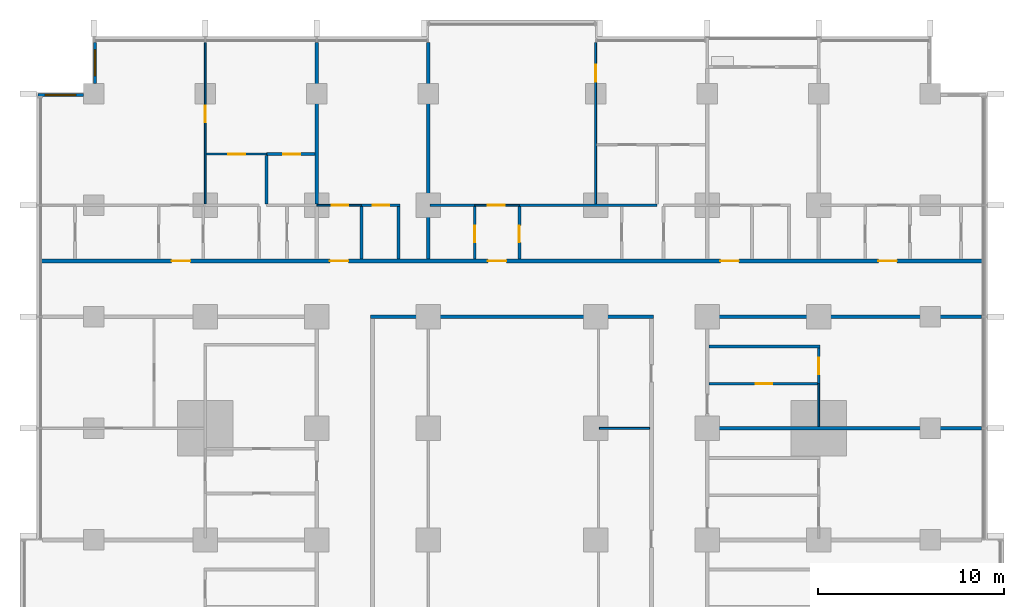
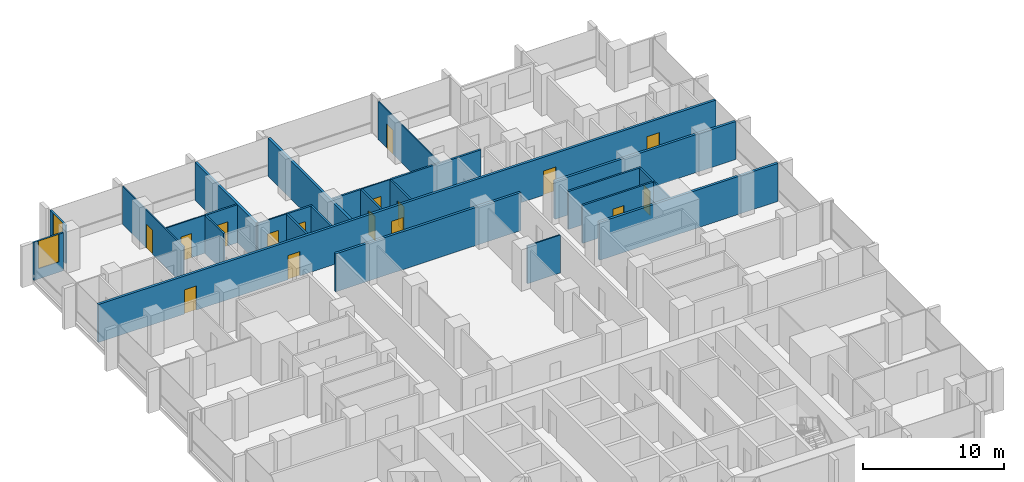
# One storey, part 11 of 18: 27 walls, 16 doors, 2 windows, 18 openings.
"""IFC4 building model written with IfcOpenShell, lengths in metres."""

from ifc_helpers import new_model, si_unit, direction, frame, frame_2d, origin, place, context, subcontext, project, spatial, rectangle, extrude, material, layer, layer_set, type_object, element, fill, save


model = new_model("IFC4")

# Units and contexts
model_context = context("Model", 3, precision=1e-05, world=origin(), true_north=direction((0.0, 1.0)))
body_context = subcontext(model_context, "Body", "Model", "MODEL_VIEW")
ifc_project = project(units=[si_unit("LENGTHUNIT", "METRE"), si_unit("AREAUNIT", "SQUARE_METRE"), si_unit("VOLUMEUNIT", "CUBIC_METRE"), si_unit("PLANEANGLEUNIT", "RADIAN"), si_unit("MASSUNIT", "GRAM", prefix="KILO")], contexts=[model_context])

# Site, building, storey
site_placement = place(None, origin())
site = spatial("IfcSite", under=ifc_project, at=site_placement, CompositionType="ELEMENT")
building_placement = place(site_placement, origin())
building = spatial("IfcBuilding", under=site, at=building_placement, Name="Finial Court Residences", CompositionType="ELEMENT")
storey_placement = place(building_placement, frame((0.0, 0.0, 57.699951171875)))
storey = spatial("IfcBuildingStorey", under=building, at=storey_placement, Name="L13", CompositionType="ELEMENT", Elevation=57.699951171875)

# Walls
ifc_material_1 = material(Name="Gypsum board")
ifc_layer_1 = layer(ifc_material_1, 0.02490234375)
ifc_material_2 = material(Name="Acoustic mineral wool in double frame")
ifc_layer_2 = layer(ifc_material_2, 0.14990234375)
ifc_layer_3 = layer(ifc_material_1, 0.02490234375)
ifc_layer_set_1 = layer_set([ifc_layer_1, ifc_layer_2, ifc_layer_3], Name="Acoustic party wall 200, 1 hour")
wall_type_1 = type_object("IfcWallType", Name="Acoustic party wall 200, 1 hour", PredefinedType="PARTITIONING", material=ifc_layer_set_1)
wall_1_placement = place(storey_placement, frame((10.60009765625, 7.5, 0.0), z_axis=(0.0, 0.0, 1.0), x_axis=(1.0, 0.0, 0.0)))
element("IfcWall", 1, at=wall_1_placement, inside=storey, type_object=wall_type_1, Name="Partition L13-027", PredefinedType="PARTITIONING", context=body_context, shape_type="SweptSolid", body=[
    extrude(rectangle(XDim=14.64990234375, YDim=0.199951171875, at=frame_2d((7.324951171875, 0.0))), origin(), (0.0, 0.0, 1.0), 3.300048828125),
])
wall_2_placement = place(storey_placement, frame((-10.5, 19.574951171875, 0.0), z_axis=(0.0, 0.0, 1.0), x_axis=(0.0, 1.0, 0.0)))
element("IfcWall", 2, at=wall_2_placement, inside=storey, type_object=wall_type_1, Name="Partition L13-075", PredefinedType="PARTITIONING", context=body_context, shape_type="SweptSolid", body=[
    extrude(rectangle(XDim=8.675048828125, YDim=0.199951171875, at=frame_2d((4.33740234375, 0.0))), origin(), (0.0, 0.0, 1.0), 3.300048828125),
])
wall_3_placement = place(storey_placement, frame((-4.5, 16.60009765625, 0.0), z_axis=(0.0, 0.0, 1.0), x_axis=(0.0, 1.0, 0.0)))
element("IfcWall", 3, at=wall_3_placement, inside=storey, type_object=wall_type_1, Name="Partition L13-080", PredefinedType="PARTITIONING", context=body_context, shape_type="SweptSolid", body=[
    extrude(rectangle(XDim=11.64990234375, YDim=0.199951171875, at=frame_2d((5.824951171875, 0.0))), origin(), (0.0, 0.0, 1.0), 3.300048828125),
])
ifc_layer_4 = layer(ifc_material_1, 0.02490234375)
ifc_layer_5 = layer(ifc_material_2, 0.14990234375)
ifc_layer_6 = layer(ifc_material_1, 0.02490234375)
ifc_layer_set_2 = layer_set([ifc_layer_4, ifc_layer_5, ifc_layer_6], Name="Corridor wall 200, 1 hour")
wall_type_2 = type_object("IfcWallType", Name="Corridor wall 200, 1 hour", PredefinedType="PARTITIONING", material=ifc_layer_set_2)
wall_4_placement = place(storey_placement, frame((-7.60009765625, 13.5, 0.0), z_axis=(0.0, 0.0, 1.0), x_axis=(1.0, 0.0, 0.0)))
element("IfcWall", 4, at=wall_4_placement, inside=storey, type_object=wall_type_2, Name="Partition L13-032", PredefinedType="PARTITIONING", context=body_context, shape_type="SweptSolid", body=[
    extrude(rectangle(XDim=15.2001953125, YDim=0.199951171875, at=frame_2d((7.60009765625, 0.0))), origin(), (0.0, 0.0, 1.0), 3.300048828125),
])
wall_5_placement = place(storey_placement, frame((10.39990234375, 13.5, 0.0), z_axis=(0.0, 0.0, 1.0), x_axis=(1.0, 0.0, 0.0)))
element("IfcWall", 5, at=wall_5_placement, inside=storey, type_object=wall_type_2, Name="Partition L13-033", PredefinedType="PARTITIONING", context=body_context, shape_type="SweptSolid", body=[
    extrude(rectangle(XDim=14.85009765625, YDim=0.199951171875, at=frame_2d((7.425048828125, 0.0))), origin(), (0.0, 0.0, 1.0), 3.300048828125),
])

# Wall, openings, doors
wall_6_placement = place(storey_placement, frame((-25.35009765625, 16.5, 0.0), z_axis=(0.0, 0.0, 1.0), x_axis=(1.0, 0.0, 0.0)))
wall_6 = element("IfcWall", 6, at=wall_6_placement, inside=storey, type_object=wall_type_2, Name="Partition L13-034", PredefinedType="PARTITIONING", context=body_context, shape_type="SweptSolid", body=[
    extrude(rectangle(XDim=50.7001953125, YDim=0.199951171875, at=frame_2d((25.35009765625, 0.0))), origin(), (0.0, 0.0, 1.0), 3.300048828125),
])
opening_1_placement = place(wall_6_placement, frame((7.050048828125, 0.0, 0.0)))
opening_1 = element("IfcOpeningElement", 7, at=opening_1_placement, cuts=wall_6, Name="Opening L13-D015", PredefinedType="OPENING", context=body_context, shape_type="SweptSolid", body=[
    extrude(rectangle(XDim=1.0, YDim=2.10009765625, at=frame_2d((0.5, 1.050048828125))), frame((0.0, 0.10986328125, 0.0), z_axis=(0.0, -1.0, 0.0), x_axis=(1.0, 0.0, 0.0)), (0.0, 0.0, 1.0), 0.219970703125),
])
opening_2_placement = place(wall_6_placement, frame((15.550048828125, 0.0, 0.0)))
opening_2 = element("IfcOpeningElement", 8, at=opening_2_placement, cuts=wall_6, Name="Opening L13-D016", PredefinedType="OPENING", context=body_context, shape_type="SweptSolid", body=[
    extrude(rectangle(XDim=1.0, YDim=2.10009765625, at=frame_2d((0.5, 1.050048828125))), frame((0.0, 0.10986328125, 0.0), z_axis=(0.0, -1.0, 0.0), x_axis=(1.0, 0.0, 0.0)), (0.0, 0.0, 1.0), 0.219970703125),
])
opening_3_placement = place(wall_6_placement, frame((24.050048828125, 0.0, 0.0)))
opening_3 = element("IfcOpeningElement", 9, at=opening_3_placement, cuts=wall_6, Name="Opening L13-D017", PredefinedType="OPENING", context=body_context, shape_type="SweptSolid", body=[
    extrude(rectangle(XDim=1.0, YDim=2.10009765625, at=frame_2d((0.5, 1.050048828125))), frame((0.0, 0.10986328125, 0.0), z_axis=(0.0, -1.0, 0.0), x_axis=(1.0, 0.0, 0.0)), (0.0, 0.0, 1.0), 0.219970703125),
])
opening_4_placement = place(wall_6_placement, frame((36.550048828125, 0.0, 0.0)))
opening_4 = element("IfcOpeningElement", 10, at=opening_4_placement, cuts=wall_6, Name="Opening L13-D018", PredefinedType="OPENING", context=body_context, shape_type="SweptSolid", body=[
    extrude(rectangle(XDim=1.0, YDim=2.10009765625, at=frame_2d((0.5, 1.050048828125))), frame((0.0, 0.10986328125, 0.0), z_axis=(0.0, -1.0, 0.0), x_axis=(1.0, 0.0, 0.0)), (0.0, 0.0, 1.0), 0.219970703125),
])
opening_5_placement = place(wall_6_placement, frame((45.050048828125, 0.0, 0.0)))
opening_5 = element("IfcOpeningElement", 11, at=opening_5_placement, cuts=wall_6, Name="Opening L13-D019", PredefinedType="OPENING", context=body_context, shape_type="SweptSolid", body=[
    extrude(rectangle(XDim=1.0, YDim=2.10009765625, at=frame_2d((0.5, 1.050048828125))), frame((0.0, 0.10986328125, 0.0), z_axis=(0.0, -1.0, 0.0), x_axis=(1.0, 0.0, 0.0)), (0.0, 0.0, 1.0), 0.219970703125),
])
ifc_material_3 = material(Name="Timber door leaf in hollow metal frame", Category="wood")
door_type_1 = type_object("IfcDoorType", Name="Fire door set 1000 x 2100, 30 minutes", OperationType="SINGLE_SWING_LEFT", PredefinedType="DOOR", material=ifc_material_3)
door_1_placement = place(opening_1_placement, origin())
door_1 = element("IfcDoor", 12, at=door_1_placement, inside=storey, type_object=door_type_1, Name="Door L13-D015", OperationType="SINGLE_SWING_RIGHT", OverallHeight=2.10009765625, OverallWidth=1.0, PredefinedType="DOOR", context=body_context, shape_type="SweptSolid", body=[
    extrude(rectangle(XDim=1.0, YDim=2.10009765625, at=frame_2d((0.5, 1.050048828125))), frame((0.0, 0.02490234375, 0.0), z_axis=(0.0, -1.0, 0.0), x_axis=(1.0, 0.0, 0.0)), (0.0, 0.0, 1.0), 0.050048828125),
])
fill(opening_1, door_1)
door_2_placement = place(opening_2_placement, origin())
door_2 = element("IfcDoor", 13, at=door_2_placement, inside=storey, type_object=door_type_1, Name="Door L13-D016", OperationType="SINGLE_SWING_RIGHT", OverallHeight=2.10009765625, OverallWidth=1.0, PredefinedType="DOOR", context=body_context, shape_type="SweptSolid", body=[
    extrude(rectangle(XDim=1.0, YDim=2.10009765625, at=frame_2d((0.5, 1.050048828125))), frame((0.0, 0.02490234375, 0.0), z_axis=(0.0, -1.0, 0.0), x_axis=(1.0, 0.0, 0.0)), (0.0, 0.0, 1.0), 0.050048828125),
])
fill(opening_2, door_2)
door_3_placement = place(opening_3_placement, origin())
door_3 = element("IfcDoor", 14, at=door_3_placement, inside=storey, type_object=door_type_1, Name="Door L13-D017", OperationType="SINGLE_SWING_RIGHT", OverallHeight=2.10009765625, OverallWidth=1.0, PredefinedType="DOOR", context=body_context, shape_type="SweptSolid", body=[
    extrude(rectangle(XDim=1.0, YDim=2.10009765625, at=frame_2d((0.5, 1.050048828125))), frame((0.0, 0.02490234375, 0.0), z_axis=(0.0, -1.0, 0.0), x_axis=(1.0, 0.0, 0.0)), (0.0, 0.0, 1.0), 0.050048828125),
])
fill(opening_3, door_3)
door_4_placement = place(opening_4_placement, origin())
door_4 = element("IfcDoor", 15, at=door_4_placement, inside=storey, type_object=door_type_1, Name="Door L13-D018", OperationType="SINGLE_SWING_LEFT", OverallHeight=2.10009765625, OverallWidth=1.0, PredefinedType="DOOR", context=body_context, shape_type="SweptSolid", body=[
    extrude(rectangle(XDim=1.0, YDim=2.10009765625, at=frame_2d((0.5, 1.050048828125))), frame((0.0, 0.02490234375, 0.0), z_axis=(0.0, -1.0, 0.0), x_axis=(1.0, 0.0, 0.0)), (0.0, 0.0, 1.0), 0.050048828125),
])
fill(opening_4, door_4)
door_5_placement = place(opening_5_placement, origin())
door_5 = element("IfcDoor", 16, at=door_5_placement, inside=storey, type_object=door_type_1, Name="Door L13-D019", OperationType="SINGLE_SWING_LEFT", OverallHeight=2.10009765625, OverallWidth=1.0, PredefinedType="DOOR", context=body_context, shape_type="SweptSolid", body=[
    extrude(rectangle(XDim=1.0, YDim=2.10009765625, at=frame_2d((0.5, 1.050048828125))), frame((0.0, 0.02490234375, 0.0), z_axis=(0.0, -1.0, 0.0), x_axis=(1.0, 0.0, 0.0)), (0.0, 0.0, 1.0), 0.050048828125),
])
fill(opening_5, door_5)

# Wall
ifc_layer_7 = layer(ifc_material_1, 0.012451171875)
ifc_material_4 = material(Name="Mineral wool in light-gauge frame")
ifc_layer_8 = layer(ifc_material_4, 0.074951171875)
ifc_layer_9 = layer(ifc_material_1, 0.012451171875)
ifc_layer_set_3 = layer_set([ifc_layer_7, ifc_layer_8, ifc_layer_9], Name="Gypsum board partition 100")
wall_type_3 = type_object("IfcWallType", Name="Gypsum board partition 100", PredefinedType="PARTITIONING", material=ifc_layer_set_3)
wall_7_placement = place(storey_placement, frame((4.699951171875, 7.5, 0.0), z_axis=(0.0, 0.0, 1.0), x_axis=(1.0, 0.0, 0.0)))
element("IfcWall", 17, at=wall_7_placement, inside=storey, type_object=wall_type_3, Name="Partition L13-026", PredefinedType="PARTITIONING", context=body_context, shape_type="SweptSolid", body=[
    extrude(rectangle(XDim=2.699951171875, YDim=0.10009765625, at=frame_2d((1.35009765625, 0.0))), origin(), (0.0, 0.0, 1.0), 3.300048828125),
])

# Wall, opening, door
wall_8_placement = place(storey_placement, frame((-10.5, 19.5, 0.0), z_axis=(0.0, 0.0, 1.0), x_axis=(1.0, 0.0, 0.0)))
wall_8 = element("IfcWall", 18, at=wall_8_placement, inside=storey, type_object=wall_type_3, Name="Partition L13-037", PredefinedType="PARTITIONING", context=body_context, shape_type="SweptSolid", body=[
    extrude(rectangle(XDim=2.39990234375, YDim=0.10009765625, at=frame_2d((1.199951171875, 0.0))), origin(), (0.0, 0.0, 1.0), 3.300048828125),
])
opening_6_placement = place(wall_8_placement, frame((0.800048828125, 0.0, 0.0)))
opening_6 = element("IfcOpeningElement", 19, at=opening_6_placement, cuts=wall_8, Name="Opening L13-D021", PredefinedType="OPENING", context=body_context, shape_type="SweptSolid", body=[
    extrude(rectangle(XDim=0.89990234375, YDim=2.10009765625, at=frame_2d((0.449951171875, 1.050048828125))), frame((0.0, 0.06005859375, 0.0), z_axis=(0.0, -1.0, 0.0), x_axis=(1.0, 0.0, 0.0)), (0.0, 0.0, 1.0), 0.1201171875),
])
ifc_material_5 = material(Name="Timber door leaf in timber frame", Category="wood")
door_type_2 = type_object("IfcDoorType", Name="Door set 900 x 2100", OperationType="SINGLE_SWING_LEFT", PredefinedType="DOOR", material=ifc_material_5)
door_6_placement = place(opening_6_placement, origin())
door_6 = element("IfcDoor", 20, at=door_6_placement, inside=storey, type_object=door_type_2, Name="Door L13-D021", OperationType="SINGLE_SWING_LEFT", OverallHeight=2.10009765625, OverallWidth=0.89990234375, PredefinedType="DOOR", context=body_context, shape_type="SweptSolid", body=[
    extrude(rectangle(XDim=0.89990234375, YDim=2.10009765625, at=frame_2d((0.449951171875, 1.050048828125))), frame((0.0, 0.02490234375, 0.0), z_axis=(0.0, -1.0, 0.0), x_axis=(1.0, 0.0, 0.0)), (0.0, 0.0, 1.0), 0.050048828125),
])
fill(opening_6, door_6)

wall_9_placement = place(storey_placement, frame((-2.0, 19.5, 0.0), z_axis=(0.0, 0.0, 1.0), x_axis=(1.0, 0.0, 0.0)))
wall_9 = element("IfcWall", 21, at=wall_9_placement, inside=storey, type_object=wall_type_3, Name="Partition L13-038", PredefinedType="PARTITIONING", context=body_context, shape_type="SweptSolid", body=[
    extrude(rectangle(XDim=2.39990234375, YDim=0.10009765625, at=frame_2d((1.199951171875, 0.0))), origin(), (0.0, 0.0, 1.0), 3.300048828125),
])
opening_7_placement = place(wall_9_placement, frame((0.699951171875, 0.0, 0.0)))
opening_7 = element("IfcOpeningElement", 22, at=opening_7_placement, cuts=wall_9, Name="Opening L13-D022", PredefinedType="OPENING", context=body_context, shape_type="SweptSolid", body=[
    extrude(rectangle(XDim=0.89990234375, YDim=2.10009765625, at=frame_2d((0.449951171875, 1.050048828125))), frame((0.0, 0.06005859375, 0.0), z_axis=(0.0, -1.0, 0.0), x_axis=(1.0, 0.0, 0.0)), (0.0, 0.0, 1.0), 0.1201171875),
])
door_7_placement = place(opening_7_placement, origin())
door_7 = element("IfcDoor", 23, at=door_7_placement, inside=storey, type_object=door_type_2, Name="Door L13-D022", OperationType="SINGLE_SWING_RIGHT", OverallHeight=2.10009765625, OverallWidth=0.89990234375, PredefinedType="DOOR", context=body_context, shape_type="SweptSolid", body=[
    extrude(rectangle(XDim=0.89990234375, YDim=2.10009765625, at=frame_2d((0.449951171875, 1.050048828125))), frame((0.0, 0.02490234375, 0.0), z_axis=(0.0, -1.0, 0.0), x_axis=(1.0, 0.0, 0.0)), (0.0, 0.0, 1.0), 0.050048828125),
])
fill(opening_7, door_7)

wall_10_placement = place(storey_placement, frame((-16.449951171875, 22.25, 0.0), z_axis=(0.0, 0.0, 1.0), x_axis=(1.0, 0.0, 0.0)))
wall_10 = element("IfcWall", 24, at=wall_10_placement, inside=storey, type_object=wall_type_3, Name="Partition L13-051", PredefinedType="PARTITIONING", context=body_context, shape_type="SweptSolid", body=[
    extrude(rectangle(XDim=3.25, YDim=0.10009765625, at=frame_2d((1.625, 0.0))), origin(), (0.0, 0.0, 1.0), 3.300048828125),
])
opening_8_placement = place(wall_10_placement, frame((1.199951171875, 0.0, 0.0)))
opening_8 = element("IfcOpeningElement", 25, at=opening_8_placement, cuts=wall_10, Name="Opening L13-D027", PredefinedType="OPENING", context=body_context, shape_type="SweptSolid", body=[
    extrude(rectangle(XDim=0.89990234375, YDim=2.10009765625, at=frame_2d((0.449951171875, 1.050048828125))), frame((0.0, 0.06005859375, 0.0), z_axis=(0.0, -1.0, 0.0), x_axis=(1.0, 0.0, 0.0)), (0.0, 0.0, 1.0), 0.1201171875),
])
door_8_placement = place(opening_8_placement, origin())
door_8 = element("IfcDoor", 26, at=door_8_placement, inside=storey, type_object=door_type_2, Name="Door L13-D027", OperationType="SINGLE_SWING_LEFT", OverallHeight=2.10009765625, OverallWidth=0.89990234375, PredefinedType="DOOR", context=body_context, shape_type="SweptSolid", body=[
    extrude(rectangle(XDim=0.89990234375, YDim=2.10009765625, at=frame_2d((0.449951171875, 1.050048828125))), frame((0.0, 0.02490234375, 0.0), z_axis=(0.0, -1.0, 0.0), x_axis=(1.0, 0.0, 0.0)), (0.0, 0.0, 1.0), 0.050048828125),
])
fill(opening_8, door_8)

wall_11_placement = place(storey_placement, frame((-16.5, 19.574951171875, 0.0), z_axis=(0.0, 0.0, 1.0), x_axis=(0.0, 1.0, 0.0)))
wall_11 = element("IfcWall", 27, at=wall_11_placement, inside=storey, type_object=wall_type_3, Name="Partition L13-064", PredefinedType="PARTITIONING", context=body_context, shape_type="SweptSolid", body=[
    extrude(rectangle(XDim=8.675048828125, YDim=0.10009765625, at=frame_2d((4.33740234375, 0.0))), origin(), (0.0, 0.0, 1.0), 3.300048828125),
])
opening_9_placement = place(wall_11_placement, frame((4.375, 0.0, 0.0)))
opening_9 = element("IfcOpeningElement", 28, at=opening_9_placement, cuts=wall_11, Name="Opening L13-D039", PredefinedType="OPENING", context=body_context, shape_type="SweptSolid", body=[
    extrude(rectangle(XDim=0.89990234375, YDim=2.10009765625, at=frame_2d((0.449951171875, 1.050048828125))), frame((0.0, 0.06005859375, 0.0), z_axis=(0.0, -1.0, 0.0), x_axis=(1.0, 0.0, 0.0)), (0.0, 0.0, 1.0), 0.1201171875),
])
door_9_placement = place(opening_9_placement, origin())
door_9 = element("IfcDoor", 29, at=door_9_placement, inside=storey, type_object=door_type_2, Name="Door L13-D039", OperationType="SINGLE_SWING_RIGHT", OverallHeight=2.10009765625, OverallWidth=0.89990234375, PredefinedType="DOOR", context=body_context, shape_type="SweptSolid", body=[
    extrude(rectangle(XDim=0.89990234375, YDim=2.10009765625, at=frame_2d((0.449951171875, 1.050048828125))), frame((0.0, 0.02490234375, 0.0), z_axis=(0.0, -1.0, 0.0), x_axis=(1.0, 0.0, 0.0)), (0.0, 0.0, 1.0), 0.050048828125),
])
fill(opening_9, door_9)

wall_12_placement = place(storey_placement, frame((4.5, 19.574951171875, 0.0), z_axis=(0.0, 0.0, 1.0), x_axis=(0.0, 1.0, 0.0)))
wall_12 = element("IfcWall", 30, at=wall_12_placement, inside=storey, type_object=wall_type_3, Name="Partition L13-083", PredefinedType="PARTITIONING", context=body_context, shape_type="SweptSolid", body=[
    extrude(rectangle(XDim=8.675048828125, YDim=0.10009765625, at=frame_2d((4.33740234375, 0.0))), origin(), (0.0, 0.0, 1.0), 3.300048828125),
])
opening_10_placement = place(wall_12_placement, frame((6.574951171875, 0.0, 0.0)))
opening_10 = element("IfcOpeningElement", 31, at=opening_10_placement, cuts=wall_12, Name="Opening L13-D047", PredefinedType="OPENING", context=body_context, shape_type="SweptSolid", body=[
    extrude(rectangle(XDim=0.89990234375, YDim=2.10009765625, at=frame_2d((0.449951171875, 1.050048828125))), frame((0.0, 0.06005859375, 0.0), z_axis=(0.0, -1.0, 0.0), x_axis=(1.0, 0.0, 0.0)), (0.0, 0.0, 1.0), 0.1201171875),
])
door_10_placement = place(opening_10_placement, origin())
door_10 = element("IfcDoor", 32, at=door_10_placement, inside=storey, type_object=door_type_2, Name="Door L13-D047", OperationType="SINGLE_SWING_RIGHT", OverallHeight=2.10009765625, OverallWidth=0.89990234375, PredefinedType="DOOR", context=body_context, shape_type="SweptSolid", body=[
    extrude(rectangle(XDim=0.89990234375, YDim=2.10009765625, at=frame_2d((0.449951171875, 1.050048828125))), frame((0.0, 0.02490234375, 0.0), z_axis=(0.0, -1.0, 0.0), x_axis=(1.0, 0.0, 0.0)), (0.0, 0.0, 1.0), 0.050048828125),
])
fill(opening_10, door_10)

# Wall
wall_13_placement = place(storey_placement, frame((16.5, 7.60009765625, 0.0), z_axis=(0.0, 0.0, 1.0), x_axis=(0.0, 1.0, 0.0)))
element("IfcWall", 33, at=wall_13_placement, inside=storey, type_object=wall_type_3, Name="Partition L13-098", PredefinedType="PARTITIONING", context=body_context, shape_type="SweptSolid", body=[
    extrude(rectangle(XDim=2.2998046875, YDim=0.10009765625, at=frame_2d((1.14990234375, 0.0))), origin(), (0.0, 0.0, 1.0), 3.300048828125),
])

# Wall, opening, door
ifc_material_6 = material(Name="Moisture-resistant gypsum board")
ifc_layer_10 = layer(ifc_material_6, 0.012451171875)
ifc_layer_11 = layer(ifc_material_4, 0.125)
ifc_layer_12 = layer(ifc_material_6, 0.012451171875)
ifc_layer_set_4 = layer_set([ifc_layer_10, ifc_layer_11, ifc_layer_12], Name="Gypsum board wet-area partition 150")
wall_type_4 = type_object("IfcWallType", Name="Gypsum board wet-area partition 150", PredefinedType="PARTITIONING", material=ifc_layer_set_4)
wall_14_placement = place(storey_placement, frame((10.60009765625, 9.89990234375, 0.0), z_axis=(0.0, 0.0, 1.0), x_axis=(1.0, 0.0, 0.0)))
wall_14 = element("IfcWall", 34, at=wall_14_placement, inside=storey, type_object=wall_type_4, Name="Partition L13-028", PredefinedType="PARTITIONING", context=body_context, shape_type="SweptSolid", body=[
    extrude(rectangle(XDim=5.824951171875, YDim=0.14990234375, at=frame_2d((2.91259765625, 0.0))), origin(), (0.0, 0.0, 1.0), 3.300048828125),
])
opening_11_placement = place(wall_14_placement, frame((2.5, 0.0, 0.0)))
opening_11 = element("IfcOpeningElement", 35, at=opening_11_placement, cuts=wall_14, Name="Opening L13-D014", PredefinedType="OPENING", context=body_context, shape_type="SweptSolid", body=[
    extrude(rectangle(XDim=0.89990234375, YDim=2.10009765625, at=frame_2d((0.449951171875, 1.050048828125))), frame((0.0, 0.0849609375, 0.0), z_axis=(0.0, -1.0, 0.0), x_axis=(1.0, 0.0, 0.0)), (0.0, 0.0, 1.0), 0.169921875),
])
door_11_placement = place(opening_11_placement, origin())
door_11 = element("IfcDoor", 36, at=door_11_placement, inside=storey, type_object=door_type_2, Name="Door L13-D014", OperationType="SINGLE_SWING_RIGHT", OverallHeight=2.10009765625, OverallWidth=0.89990234375, PredefinedType="DOOR", context=body_context, shape_type="SweptSolid", body=[
    extrude(rectangle(XDim=0.89990234375, YDim=2.10009765625, at=frame_2d((0.449951171875, 1.050048828125))), frame((0.0, 0.02490234375, 0.0), z_axis=(0.0, -1.0, 0.0), x_axis=(1.0, 0.0, 0.0)), (0.0, 0.0, 1.0), 0.050048828125),
])
fill(opening_11, door_11)

# Wall
wall_15_placement = place(storey_placement, frame((10.60009765625, 11.89990234375, 0.0), z_axis=(0.0, 0.0, 1.0), x_axis=(1.0, 0.0, 0.0)))
element("IfcWall", 37, at=wall_15_placement, inside=storey, type_object=wall_type_4, Name="Partition L13-029", PredefinedType="PARTITIONING", context=body_context, shape_type="SweptSolid", body=[
    extrude(rectangle(XDim=5.974853515625, YDim=0.14990234375, at=frame_2d((2.9873046875, 0.0))), origin(), (0.0, 0.0, 1.0), 3.300048828125),
])

# Wall, opening, door
wall_16_placement = place(storey_placement, frame((-8.10009765625, 19.5, 0.0), z_axis=(0.0, 0.0, 1.0), x_axis=(1.0, 0.0, 0.0)))
wall_16 = element("IfcWall", 38, at=wall_16_placement, inside=storey, type_object=wall_type_4, Name="Partition L13-044", PredefinedType="PARTITIONING", context=body_context, shape_type="SweptSolid", body=[
    extrude(rectangle(XDim=2.0751953125, YDim=0.14990234375, at=frame_2d((1.03759765625, 0.0))), origin(), (0.0, 0.0, 1.0), 3.300048828125),
])
opening_12_placement = place(wall_16_placement, frame((0.60009765625, 0.0, 0.0)))
opening_12 = element("IfcOpeningElement", 39, at=opening_12_placement, cuts=wall_16, Name="Opening L13-D025", PredefinedType="OPENING", context=body_context, shape_type="SweptSolid", body=[
    extrude(rectangle(XDim=0.89990234375, YDim=2.10009765625, at=frame_2d((0.449951171875, 1.050048828125))), frame((0.0, 0.0849609375, 0.0), z_axis=(0.0, -1.0, 0.0), x_axis=(1.0, 0.0, 0.0)), (0.0, 0.0, 1.0), 0.169921875),
])
door_12_placement = place(opening_12_placement, origin())
door_12 = element("IfcDoor", 40, at=door_12_placement, inside=storey, type_object=door_type_2, Name="Door L13-D025", OperationType="SINGLE_SWING_RIGHT", OverallHeight=2.10009765625, OverallWidth=0.89990234375, PredefinedType="DOOR", context=body_context, shape_type="SweptSolid", body=[
    extrude(rectangle(XDim=0.89990234375, YDim=2.10009765625, at=frame_2d((0.449951171875, 1.050048828125))), frame((0.0, 0.02490234375, 0.0), z_axis=(0.0, -1.0, 0.0), x_axis=(1.0, 0.0, 0.0)), (0.0, 0.0, 1.0), 0.050048828125),
])
fill(opening_12, door_12)

# Walls
wall_17_placement = place(storey_placement, frame((-4.39990234375, 19.5, 0.0), z_axis=(0.0, 0.0, 1.0), x_axis=(1.0, 0.0, 0.0)))
element("IfcWall", 41, at=wall_17_placement, inside=storey, type_object=wall_type_4, Name="Partition L13-045", PredefinedType="PARTITIONING", context=body_context, shape_type="SweptSolid", body=[
    extrude(rectangle(XDim=2.39990234375, YDim=0.14990234375, at=frame_2d((1.199951171875, 0.0))), origin(), (0.0, 0.0, 1.0), 3.300048828125),
])
wall_18_placement = place(storey_placement, frame((0.39990234375, 19.5, 0.0), z_axis=(0.0, 0.0, 1.0), x_axis=(1.0, 0.0, 0.0)))
element("IfcWall", 42, at=wall_18_placement, inside=storey, type_object=wall_type_4, Name="Partition L13-046", PredefinedType="PARTITIONING", context=body_context, shape_type="SweptSolid", body=[
    extrude(rectangle(XDim=7.400146484375, YDim=0.14990234375, at=frame_2d((3.7001953125, 0.0))), origin(), (0.0, 0.0, 1.0), 3.300048828125),
])

# Wall, opening, door
wall_19_placement = place(storey_placement, frame((-13.199951171875, 22.25, 0.0), z_axis=(0.0, 0.0, 1.0), x_axis=(1.0, 0.0, 0.0)))
wall_19 = element("IfcWall", 43, at=wall_19_placement, inside=storey, type_object=wall_type_4, Name="Partition L13-052", PredefinedType="PARTITIONING", context=body_context, shape_type="SweptSolid", body=[
    extrude(rectangle(XDim=2.599853515625, YDim=0.14990234375, at=frame_2d((1.2998046875, 0.0))), origin(), (0.0, 0.0, 1.0), 3.300048828125),
])
opening_13_placement = place(wall_19_placement, frame((0.89990234375, 0.0, 0.0)))
opening_13 = element("IfcOpeningElement", 44, at=opening_13_placement, cuts=wall_19, Name="Opening L13-D028", PredefinedType="OPENING", context=body_context, shape_type="SweptSolid", body=[
    extrude(rectangle(XDim=0.89990234375, YDim=2.10009765625, at=frame_2d((0.449951171875, 1.050048828125))), frame((0.0, 0.0849609375, 0.0), z_axis=(0.0, -1.0, 0.0), x_axis=(1.0, 0.0, 0.0)), (0.0, 0.0, 1.0), 0.169921875),
])
door_13_placement = place(opening_13_placement, origin())
door_13 = element("IfcDoor", 45, at=door_13_placement, inside=storey, type_object=door_type_2, Name="Door L13-D028", OperationType="SINGLE_SWING_RIGHT", OverallHeight=2.10009765625, OverallWidth=0.89990234375, PredefinedType="DOOR", context=body_context, shape_type="SweptSolid", body=[
    extrude(rectangle(XDim=0.89990234375, YDim=2.10009765625, at=frame_2d((0.449951171875, 1.050048828125))), frame((0.0, 0.02490234375, 0.0), z_axis=(0.0, -1.0, 0.0), x_axis=(1.0, 0.0, 0.0)), (0.0, 0.0, 1.0), 0.050048828125),
])
fill(opening_13, door_13)

# Walls
wall_20_placement = place(storey_placement, frame((-13.199951171875, 19.574951171875, 0.0), z_axis=(0.0, 0.0, 1.0), x_axis=(0.0, 1.0, 0.0)))
element("IfcWall", 46, at=wall_20_placement, inside=storey, type_object=wall_type_4, Name="Partition L13-071", PredefinedType="PARTITIONING", context=body_context, shape_type="SweptSolid", body=[
    extrude(rectangle(XDim=2.60009765625, YDim=0.14990234375, at=frame_2d((1.300048828125, 0.0))), origin(), (0.0, 0.0, 1.0), 3.300048828125),
])
for number, where, z_axis, x_axis, name in (
    (47, (-8.10009765625, 16.60009765625, 0.0), (0.0, 0.0, 1.0), (0.0, 1.0, 0.0), "Partition L13-076"),
    (48, (-6.10009765625, 16.60009765625, 0.0), (0.0, 0.0, 1.0), (0.0, 1.0, 0.0), "Partition L13-078"),
):
    element("IfcWall", number, at=place(storey_placement, frame(where, z_axis=z_axis, x_axis=x_axis)), inside=storey, type_object=wall_type_4, Name=name, PredefinedType="PARTITIONING", context=body_context, shape_type="SweptSolid", body=[
        extrude(rectangle(XDim=2.824951171875, YDim=0.14990234375, at=frame_2d((1.41259765625, 0.0))), origin(), (0.0, 0.0, 1.0), 3.300048828125),
    ])

# Wall, opening, door
wall_21_placement = place(storey_placement, frame((-2.0, 16.60009765625, 0.0), z_axis=(0.0, 0.0, 1.0), x_axis=(0.0, 1.0, 0.0)))
wall_21 = element("IfcWall", 49, at=wall_21_placement, inside=storey, type_object=wall_type_4, Name="Partition L13-081", PredefinedType="PARTITIONING", context=body_context, shape_type="SweptSolid", body=[
    extrude(rectangle(XDim=2.824951171875, YDim=0.14990234375, at=frame_2d((1.41259765625, 0.0))), origin(), (0.0, 0.0, 1.0), 3.300048828125),
])
opening_14_placement = place(wall_21_placement, frame((0.89990234375, 0.0, 0.0)))
opening_14 = element("IfcOpeningElement", 50, at=opening_14_placement, cuts=wall_21, Name="Opening L13-D045", PredefinedType="OPENING", context=body_context, shape_type="SweptSolid", body=[
    extrude(rectangle(XDim=0.89990234375, YDim=2.10009765625, at=frame_2d((0.449951171875, 1.050048828125))), frame((0.0, 0.0849609375, 0.0), z_axis=(0.0, -1.0, 0.0), x_axis=(1.0, 0.0, 0.0)), (0.0, 0.0, 1.0), 0.169921875),
])
door_14_placement = place(opening_14_placement, origin())
door_14 = element("IfcDoor", 51, at=door_14_placement, inside=storey, type_object=door_type_2, Name="Door L13-D045", OperationType="SINGLE_SWING_LEFT", OverallHeight=2.10009765625, OverallWidth=0.89990234375, PredefinedType="DOOR", context=body_context, shape_type="SweptSolid", body=[
    extrude(rectangle(XDim=0.89990234375, YDim=2.10009765625, at=frame_2d((0.449951171875, 1.050048828125))), frame((0.0, 0.02490234375, 0.0), z_axis=(0.0, -1.0, 0.0), x_axis=(1.0, 0.0, 0.0)), (0.0, 0.0, 1.0), 0.050048828125),
])
fill(opening_14, door_14)

wall_22_placement = place(storey_placement, frame((0.39990234375, 16.60009765625, 0.0), z_axis=(0.0, 0.0, 1.0), x_axis=(0.0, 1.0, 0.0)))
wall_22 = element("IfcWall", 52, at=wall_22_placement, inside=storey, type_object=wall_type_4, Name="Partition L13-082", PredefinedType="PARTITIONING", context=body_context, shape_type="SweptSolid", body=[
    extrude(rectangle(XDim=2.824951171875, YDim=0.14990234375, at=frame_2d((1.41259765625, 0.0))), origin(), (0.0, 0.0, 1.0), 3.300048828125),
])
opening_15_placement = place(wall_22_placement, frame((0.89990234375, 0.0, 0.0)))
opening_15 = element("IfcOpeningElement", 53, at=opening_15_placement, cuts=wall_22, Name="Opening L13-D046", PredefinedType="OPENING", context=body_context, shape_type="SweptSolid", body=[
    extrude(rectangle(XDim=0.89990234375, YDim=2.10009765625, at=frame_2d((0.449951171875, 1.050048828125))), frame((0.0, 0.0849609375, 0.0), z_axis=(0.0, -1.0, 0.0), x_axis=(1.0, 0.0, 0.0)), (0.0, 0.0, 1.0), 0.169921875),
])
door_15_placement = place(opening_15_placement, origin())
door_15 = element("IfcDoor", 54, at=door_15_placement, inside=storey, type_object=door_type_2, Name="Door L13-D046", OperationType="SINGLE_SWING_RIGHT", OverallHeight=2.10009765625, OverallWidth=0.89990234375, PredefinedType="DOOR", context=body_context, shape_type="SweptSolid", body=[
    extrude(rectangle(XDim=0.89990234375, YDim=2.10009765625, at=frame_2d((0.449951171875, 1.050048828125))), frame((0.0, 0.02490234375, 0.0), z_axis=(0.0, -1.0, 0.0), x_axis=(1.0, 0.0, 0.0)), (0.0, 0.0, 1.0), 0.050048828125),
])
fill(opening_15, door_15)

wall_23_placement = place(storey_placement, frame((16.5, 9.89990234375, 0.0), z_axis=(0.0, 0.0, 1.0), x_axis=(0.0, 1.0, 0.0)))
wall_23 = element("IfcWall", 55, at=wall_23_placement, inside=storey, type_object=wall_type_4, Name="Partition L13-104", PredefinedType="PARTITIONING", context=body_context, shape_type="SweptSolid", body=[
    extrude(rectangle(XDim=1.925048828125, YDim=0.14990234375, at=frame_2d((0.96240234375, 0.0))), origin(), (0.0, 0.0, 1.0), 3.300048828125),
])
opening_16_placement = place(wall_23_placement, frame((0.5, 0.0, 0.0)))
opening_16 = element("IfcOpeningElement", 56, at=opening_16_placement, cuts=wall_23, Name="Opening L13-D061", PredefinedType="OPENING", context=body_context, shape_type="SweptSolid", body=[
    extrude(rectangle(XDim=0.89990234375, YDim=2.10009765625, at=frame_2d((0.449951171875, 1.050048828125))), frame((0.0, 0.0849609375, 0.0), z_axis=(0.0, -1.0, 0.0), x_axis=(1.0, 0.0, 0.0)), (0.0, 0.0, 1.0), 0.169921875),
])
door_16_placement = place(opening_16_placement, origin())
door_16 = element("IfcDoor", 57, at=door_16_placement, inside=storey, type_object=door_type_2, Name="Door L13-D061", OperationType="SINGLE_SWING_RIGHT", OverallHeight=2.10009765625, OverallWidth=0.89990234375, PredefinedType="DOOR", context=body_context, shape_type="SweptSolid", body=[
    extrude(rectangle(XDim=0.89990234375, YDim=2.10009765625, at=frame_2d((0.449951171875, 1.050048828125))), frame((0.0, 0.02490234375, 0.0), z_axis=(0.0, -1.0, 0.0), x_axis=(1.0, 0.0, 0.0)), (0.0, 0.0, 1.0), 0.050048828125),
])
fill(opening_16, door_16)

# Wall, opening, window
ifc_material_7 = material(Name="Natural limestone", Category="masonry")
ifc_layer_13 = layer(ifc_material_7, 0.14990234375)
ifc_layer_set_5 = layer_set([ifc_layer_13], Name="Limestone clad wall 150")
wall_type_5 = type_object("IfcWallType", Name="Limestone clad wall 150", PredefinedType="SOLIDWALL", material=ifc_layer_set_5)
wall_24_placement = place(storey_placement, frame((-22.425048828125, 26.050048828125, 0.0), z_axis=(0.0, 0.0, 1.0), x_axis=(0.0, 1.0, 0.0)))
wall_24 = element("IfcWall", 58, at=wall_24_placement, inside=storey, type_object=wall_type_5, Name="E-L13-NWW17", PredefinedType="SOLIDWALL", context=body_context, shape_type="SweptSolid", body=[
    extrude(rectangle(XDim=2.199951171875, YDim=0.14990234375, at=frame_2d((1.10009765625, 0.0))), origin(), (0.0, 0.0, 1.0), 3.300048828125),
])
opening_17_placement = place(wall_24_placement, frame((0.39990234375, 0.0, 0.89990234375)))
opening_17 = element("IfcOpeningElement", 59, at=opening_17_placement, cuts=wall_24, Name="Opening WE13-05", PredefinedType="OPENING", context=body_context, shape_type="SweptSolid", body=[
    extrude(rectangle(XDim=1.39990234375, YDim=2.39990234375, at=frame_2d((0.699951171875, 1.199951171875))), frame((0.0, 0.0849609375, 0.0), z_axis=(0.0, -1.0, 0.0), x_axis=(1.0, 0.0, 0.0)), (0.0, 0.0, 1.0), 0.169921875),
])
ifc_material_8 = material(Name="Clear low-e glass", Category="glass")
window_type_1 = type_object("IfcWindowType", Name="Corner window 1400 x 2400", PartitioningType="SINGLE_PANEL", PredefinedType="WINDOW", material=ifc_material_8)
window_1_placement = place(opening_17_placement, origin())
window_1 = element("IfcWindow", 60, at=window_1_placement, inside=storey, type_object=window_type_1, Name="E-L13-NWW17-W1", OverallHeight=2.39990234375, OverallWidth=1.39990234375, PartitioningType="SINGLE_PANEL", PredefinedType="WINDOW", context=body_context, shape_type="SweptSolid", body=[
    extrude(rectangle(XDim=1.39990234375, YDim=2.39990234375, at=frame_2d((0.699951171875, 1.199951171875))), frame((0.0, 0.030029296875, 0.0), z_axis=(0.0, -1.0, 0.0), x_axis=(1.0, 0.0, 0.0)), (0.0, 0.0, 1.0), 0.06005859375),
])
fill(opening_17, window_1)

wall_25_placement = place(storey_placement, frame((-25.5, 25.425048828125, 0.0), z_axis=(0.0, 0.0, 1.0), x_axis=(1.0, 0.0, 0.0)))
wall_25 = element("IfcWall", 61, at=wall_25_placement, inside=storey, type_object=wall_type_5, Name="E-L13-NWN18", PredefinedType="SOLIDWALL", context=body_context, shape_type="SweptSolid", body=[
    extrude(rectangle(XDim=2.449951171875, YDim=0.14990234375, at=frame_2d((1.22509765625, 0.0))), origin(), (0.0, 0.0, 1.0), 3.300048828125),
])
opening_18_placement = place(wall_25_placement, frame((0.39990234375, 0.0, 0.89990234375)))
opening_18 = element("IfcOpeningElement", 62, at=opening_18_placement, cuts=wall_25, Name="Opening WE13-06", PredefinedType="OPENING", context=body_context, shape_type="SweptSolid", body=[
    extrude(rectangle(XDim=1.64990234375, YDim=2.39990234375, at=frame_2d((0.824951171875, 1.199951171875))), frame((0.0, 0.0849609375, 0.0), z_axis=(0.0, -1.0, 0.0), x_axis=(1.0, 0.0, 0.0)), (0.0, 0.0, 1.0), 0.169921875),
])
window_type_2 = type_object("IfcWindowType", Name="Corner window 1650 x 2400", PartitioningType="SINGLE_PANEL", PredefinedType="WINDOW", material=ifc_material_8)
window_2_placement = place(opening_18_placement, origin())
window_2 = element("IfcWindow", 63, at=window_2_placement, inside=storey, type_object=window_type_2, Name="E-L13-NWN18-W1", OverallHeight=2.39990234375, OverallWidth=1.64990234375, PartitioningType="SINGLE_PANEL", PredefinedType="WINDOW", context=body_context, shape_type="SweptSolid", body=[
    extrude(rectangle(XDim=1.64990234375, YDim=2.39990234375, at=frame_2d((0.824951171875, 1.199951171875))), frame((0.0, 0.030029296875, 0.0), z_axis=(0.0, -1.0, 0.0), x_axis=(1.0, 0.0, 0.0)), (0.0, 0.0, 1.0), 0.06005859375),
])
fill(opening_18, window_2)

save(model, "model.ifc")
